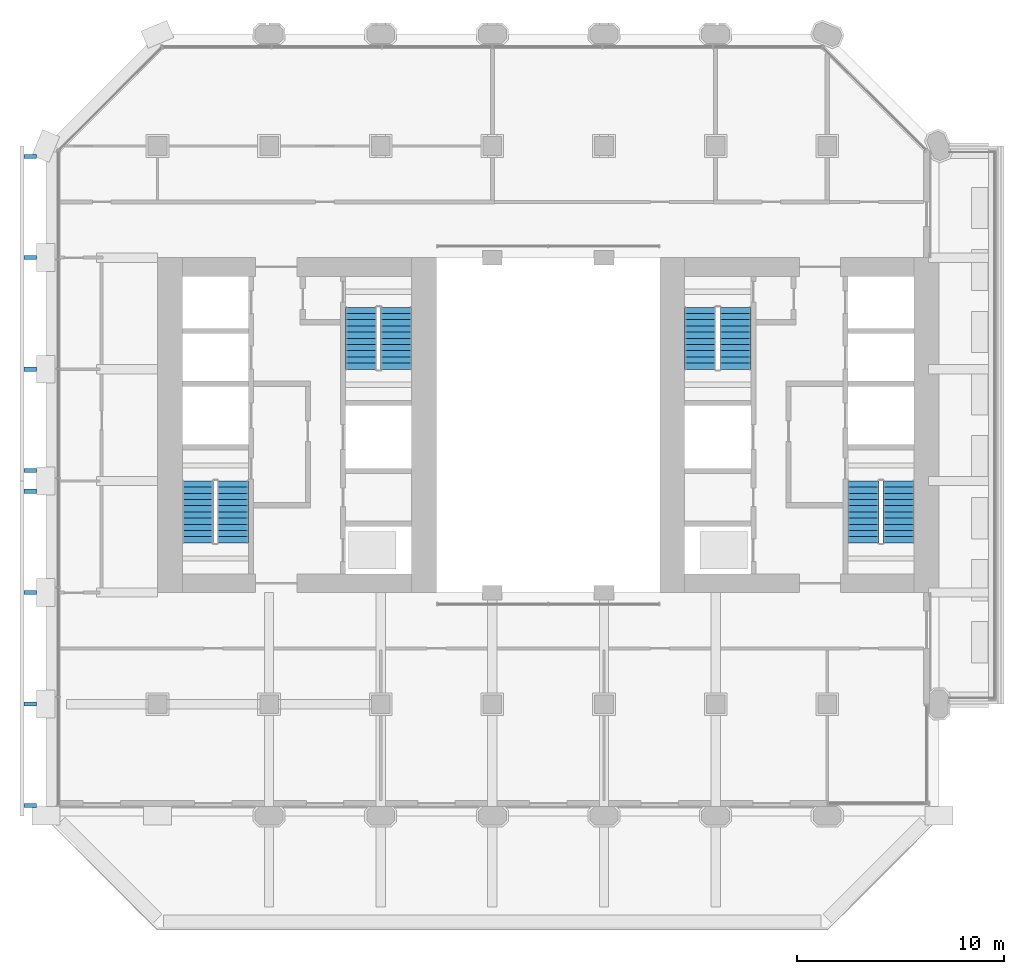
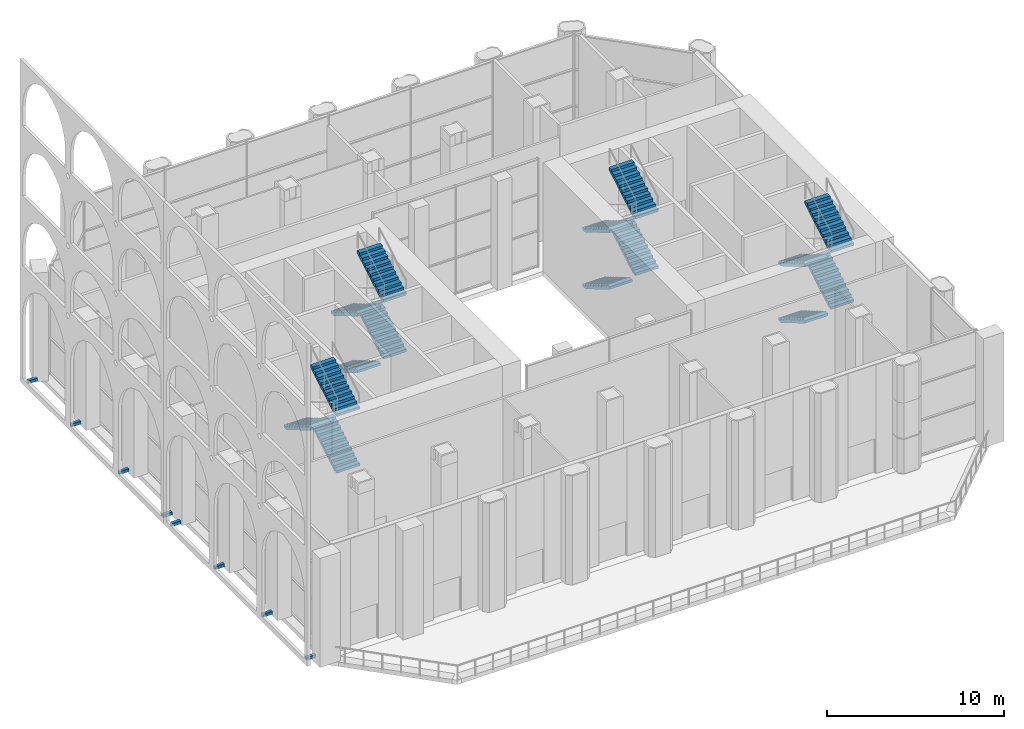
# One storey, part 12 of 20: 15 stair flights, 8 discrete accessories, 4 elements without a shape of their own.
"""IFC4 building model written with IfcOpenShell, lengths in metres."""

from ifc_helpers import new_model, si_unit, direction, frame, origin, origin_2d, place, context, subcontext, project, spatial, polyline, rectangle, outline, extrude, material, type_object, element, aggregate, save


model = new_model("IFC4")

# Units and contexts
model_context = context("Model", 3, precision=1e-05, world=origin(), true_north=direction((0.0, 1.0)))
body_context = subcontext(model_context, "Body", "Model", "MODEL_VIEW")
ifc_project = project(units=[si_unit("LENGTHUNIT", "METRE"), si_unit("AREAUNIT", "SQUARE_METRE"), si_unit("VOLUMEUNIT", "CUBIC_METRE"), si_unit("PLANEANGLEUNIT", "RADIAN"), si_unit("MASSUNIT", "GRAM", prefix="KILO")], contexts=[model_context])

# Site, building, storey
site_placement = place(None, origin())
site = spatial("IfcSite", under=ifc_project, at=site_placement, CompositionType="ELEMENT")
building_placement = place(site_placement, origin())
building = spatial("IfcBuilding", under=site, at=building_placement, Name="Tabaq Tower and Sports Hall", CompositionType="ELEMENT")
storey_placement = place(building_placement, frame((0.0, 0.0, 130.60009765625)))
storey = spatial("IfcBuildingStorey", under=building, at=storey_placement, Name="L31", CompositionType="ELEMENT", Elevation=130.60009765625)

# Stair, stair flights
ifc_material_1 = material(Name="Concrete C40/50", Category="concrete")
stair_type = type_object("IfcStairType", Name="Exit stair", PredefinedType="HALF_TURN_STAIR", material=ifc_material_1)
stair_1_placement = place(storey_placement, origin())
stair_1 = element("IfcStair", 1, at=stair_1_placement, inside=storey, type_object=stair_type, Name="L31 Exit stair ST1", PredefinedType="HALF_TURN_STAIR")
ifc_material_2 = material(Name="Concrete C40/50", Category="concrete")
stair_flight_type = type_object("IfcStairFlightType", Name="Exit stair flight", PredefinedType="STRAIGHT", material=ifc_material_2)
stair_flight_1_placement = place(storey_placement, frame((9.050048828125, 18.60009765625, 1.949951171875), z_axis=(0.0, 0.0, 1.0), x_axis=(0.0, 1.0, 0.0)))
stair_flight_1 = element("IfcStairFlight", 2, at=stair_flight_1_placement, type_object=stair_flight_type, Name="ST1 flight 2", NumberOfRisers=11, NumberOfTreads=10, PredefinedType="STRAIGHT", RiserHeight=0.177272727, TreadLength=0.3, context=body_context, shape_type="SweptSolid", body=[
    extrude(outline(polyline([(0.0, 0.0), (0.0, 0.17724609375), (0.300048828125, 0.17724609375), (0.300048828125, 0.3544921875), (0.60009765625, 0.3544921875), (0.60009765625, 0.53173828125), (0.89990234375, 0.53173828125), (0.89990234375, 0.708984375), (1.199951171875, 0.708984375), (1.199951171875, 0.886474609375), (1.5, 0.886474609375), (1.5, 1.063720703125), (1.800048828125, 1.063720703125), (1.800048828125, 1.240966796875), (2.10009765625, 1.240966796875), (2.10009765625, 1.418212890625), (2.39990234375, 1.418212890625), (2.39990234375, 1.595458984375), (2.699951171875, 1.595458984375), (2.699951171875, 1.772705078125), (3.0, 1.772705078125), (3.0, 1.949951171875), (3.0, 1.5986328125), (0.294677734375, 0.0), (0.0, 0.0)])), frame((0.0, 0.75, 0.0), z_axis=(0.0, -1.0, 0.0), x_axis=(1.0, 0.0, 0.0)), (0.0, 0.0, 1.0), 1.5),
])
stair_flight_2_placement = place(storey_placement, frame((7.35009765625, 21.60009765625, 3.89990234375), z_axis=(0.0, 0.0, 1.0), x_axis=(0.0, -1.0, 0.0)))
stair_flight_2 = element("IfcStairFlight", 3, at=stair_flight_2_placement, type_object=stair_flight_type, Name="ST1 flight 3", NumberOfRisers=11, NumberOfTreads=10, PredefinedType="STRAIGHT", RiserHeight=0.177272727, TreadLength=0.3, context=body_context, shape_type="SweptSolid", body=[
    extrude(outline(polyline([(0.0, 0.0), (0.0, 0.17724609375), (0.300048828125, 0.17724609375), (0.300048828125, 0.3544921875), (0.60009765625, 0.3544921875), (0.60009765625, 0.53173828125), (0.89990234375, 0.53173828125), (0.89990234375, 0.708984375), (1.199951171875, 0.708984375), (1.199951171875, 0.886474609375), (1.5, 0.886474609375), (1.5, 1.063720703125), (1.800048828125, 1.063720703125), (1.800048828125, 1.240966796875), (2.10009765625, 1.240966796875), (2.10009765625, 1.418212890625), (2.39990234375, 1.418212890625), (2.39990234375, 1.595458984375), (2.699951171875, 1.595458984375), (2.699951171875, 1.772705078125), (3.0, 1.772705078125), (3.0, 1.949951171875), (3.0, 1.5986328125), (0.294677734375, 0.0), (0.0, 0.0)])), frame((0.0, 0.75, 0.0), z_axis=(0.0, -1.0, 0.0), x_axis=(1.0, 0.0, 0.0)), (0.0, 0.0, 1.0), 1.5),
])
stair_flight_3_placement = place(storey_placement, frame((9.050048828125, 18.60009765625, 5.849853515625), z_axis=(0.0, 0.0, 1.0), x_axis=(0.0, 1.0, 0.0)))
stair_flight_3 = element("IfcStairFlight", 4, at=stair_flight_3_placement, type_object=stair_flight_type, Name="ST1 flight 4", NumberOfRisers=11, NumberOfTreads=10, PredefinedType="STRAIGHT", RiserHeight=0.177272727, TreadLength=0.3, context=body_context, shape_type="SweptSolid", body=[
    extrude(outline(polyline([(0.0, 0.0), (0.0, 0.17724609375), (0.300048828125, 0.17724609375), (0.300048828125, 0.3544921875), (0.60009765625, 0.3544921875), (0.60009765625, 0.53173828125), (0.89990234375, 0.53173828125), (0.89990234375, 0.708984375), (1.199951171875, 0.708984375), (1.199951171875, 0.886474609375), (1.5, 0.886474609375), (1.5, 1.063720703125), (1.800048828125, 1.063720703125), (1.800048828125, 1.240966796875), (2.10009765625, 1.240966796875), (2.10009765625, 1.418212890625), (2.39990234375, 1.418212890625), (2.39990234375, 1.595458984375), (2.699951171875, 1.595458984375), (2.699951171875, 1.772705078125), (3.0, 1.772705078125), (3.0, 1.949951171875), (3.0, 1.5986328125), (0.294677734375, 0.0), (0.0, 0.0)])), frame((0.0, 0.75, 0.0), z_axis=(0.0, -1.0, 0.0), x_axis=(1.0, 0.0, 0.0)), (0.0, 0.0, 1.0), 1.5),
])
aggregate(stair_1, [stair_flight_1, stair_flight_2, stair_flight_3])

stair_2_placement = place(storey_placement, origin())
stair_2 = element("IfcStair", 5, at=stair_2_placement, inside=storey, type_object=stair_type, Name="L31 Exit stair ST2", PredefinedType="HALF_TURN_STAIR")
stair_flight_4_placement = place(storey_placement, frame((15.25, 30.0, 0.0), z_axis=(0.0, 0.0, 1.0), x_axis=(0.0, -1.0, 0.0)))
stair_flight_4 = element("IfcStairFlight", 6, at=stair_flight_4_placement, type_object=stair_flight_type, Name="ST2 flight 1", NumberOfRisers=11, NumberOfTreads=10, PredefinedType="STRAIGHT", RiserHeight=0.177272727, TreadLength=0.3, context=body_context, shape_type="SweptSolid", body=[
    extrude(outline(polyline([(0.0, 0.0), (0.0, 0.17724609375), (0.300048828125, 0.17724609375), (0.300048828125, 0.3544921875), (0.60009765625, 0.3544921875), (0.60009765625, 0.53173828125), (0.89990234375, 0.53173828125), (0.89990234375, 0.708984375), (1.199951171875, 0.708984375), (1.199951171875, 0.886474609375), (1.5, 0.886474609375), (1.5, 1.063720703125), (1.800048828125, 1.063720703125), (1.800048828125, 1.240966796875), (2.10009765625, 1.240966796875), (2.10009765625, 1.418212890625), (2.39990234375, 1.418212890625), (2.39990234375, 1.595458984375), (2.699951171875, 1.595458984375), (2.699951171875, 1.772705078125), (3.0, 1.772705078125), (3.0, 1.949951171875), (3.0, 1.5986328125), (0.294677734375, 0.0), (0.0, 0.0)])), frame((0.0, 0.75, 0.0), z_axis=(0.0, -1.0, 0.0), x_axis=(1.0, 0.0, 0.0)), (0.0, 0.0, 1.0), 1.5),
])
stair_flight_5_placement = place(storey_placement, frame((16.949951171875, 27.0, 1.949951171875), z_axis=(0.0, 0.0, 1.0), x_axis=(0.0, 1.0, 0.0)))
stair_flight_5 = element("IfcStairFlight", 7, at=stair_flight_5_placement, type_object=stair_flight_type, Name="ST2 flight 2", NumberOfRisers=11, NumberOfTreads=10, PredefinedType="STRAIGHT", RiserHeight=0.177272727, TreadLength=0.3, context=body_context, shape_type="SweptSolid", body=[
    extrude(outline(polyline([(0.0, 0.0), (0.0, 0.17724609375), (0.300048828125, 0.17724609375), (0.300048828125, 0.3544921875), (0.60009765625, 0.3544921875), (0.60009765625, 0.53173828125), (0.89990234375, 0.53173828125), (0.89990234375, 0.708984375), (1.199951171875, 0.708984375), (1.199951171875, 0.886474609375), (1.5, 0.886474609375), (1.5, 1.063720703125), (1.800048828125, 1.063720703125), (1.800048828125, 1.240966796875), (2.10009765625, 1.240966796875), (2.10009765625, 1.418212890625), (2.39990234375, 1.418212890625), (2.39990234375, 1.595458984375), (2.699951171875, 1.595458984375), (2.699951171875, 1.772705078125), (3.0, 1.772705078125), (3.0, 1.949951171875), (3.0, 1.5986328125), (0.294677734375, 0.0), (0.0, 0.0)])), frame((0.0, 0.75, 0.0), z_axis=(0.0, -1.0, 0.0), x_axis=(1.0, 0.0, 0.0)), (0.0, 0.0, 1.0), 1.5),
])
stair_flight_6_placement = place(storey_placement, frame((15.25, 30.0, 3.89990234375), z_axis=(0.0, 0.0, 1.0), x_axis=(0.0, -1.0, 0.0)))
stair_flight_6 = element("IfcStairFlight", 8, at=stair_flight_6_placement, type_object=stair_flight_type, Name="ST2 flight 3", NumberOfRisers=11, NumberOfTreads=10, PredefinedType="STRAIGHT", RiserHeight=0.177272727, TreadLength=0.3, context=body_context, shape_type="SweptSolid", body=[
    extrude(outline(polyline([(0.0, 0.0), (0.0, 0.17724609375), (0.300048828125, 0.17724609375), (0.300048828125, 0.3544921875), (0.60009765625, 0.3544921875), (0.60009765625, 0.53173828125), (0.89990234375, 0.53173828125), (0.89990234375, 0.708984375), (1.199951171875, 0.708984375), (1.199951171875, 0.886474609375), (1.5, 0.886474609375), (1.5, 1.063720703125), (1.800048828125, 1.063720703125), (1.800048828125, 1.240966796875), (2.10009765625, 1.240966796875), (2.10009765625, 1.418212890625), (2.39990234375, 1.418212890625), (2.39990234375, 1.595458984375), (2.699951171875, 1.595458984375), (2.699951171875, 1.772705078125), (3.0, 1.772705078125), (3.0, 1.949951171875), (3.0, 1.5986328125), (0.294677734375, 0.0), (0.0, 0.0)])), frame((0.0, 0.75, 0.0), z_axis=(0.0, -1.0, 0.0), x_axis=(1.0, 0.0, 0.0)), (0.0, 0.0, 1.0), 1.5),
])
stair_flight_7_placement = place(storey_placement, frame((16.949951171875, 27.0, 5.849853515625), z_axis=(0.0, 0.0, 1.0), x_axis=(0.0, 1.0, 0.0)))
stair_flight_7 = element("IfcStairFlight", 9, at=stair_flight_7_placement, type_object=stair_flight_type, Name="ST2 flight 4", NumberOfRisers=11, NumberOfTreads=10, PredefinedType="STRAIGHT", RiserHeight=0.177272727, TreadLength=0.3, context=body_context, shape_type="SweptSolid", body=[
    extrude(outline(polyline([(0.0, 0.0), (0.0, 0.17724609375), (0.300048828125, 0.17724609375), (0.300048828125, 0.3544921875), (0.60009765625, 0.3544921875), (0.60009765625, 0.53173828125), (0.89990234375, 0.53173828125), (0.89990234375, 0.708984375), (1.199951171875, 0.708984375), (1.199951171875, 0.886474609375), (1.5, 0.886474609375), (1.5, 1.063720703125), (1.800048828125, 1.063720703125), (1.800048828125, 1.240966796875), (2.10009765625, 1.240966796875), (2.10009765625, 1.418212890625), (2.39990234375, 1.418212890625), (2.39990234375, 1.595458984375), (2.699951171875, 1.595458984375), (2.699951171875, 1.772705078125), (3.0, 1.772705078125), (3.0, 1.949951171875), (3.0, 1.5986328125), (0.294677734375, 0.0), (0.0, 0.0)])), frame((0.0, 0.75, 0.0), z_axis=(0.0, -1.0, 0.0), x_axis=(1.0, 0.0, 0.0)), (0.0, 0.0, 1.0), 1.5),
])
aggregate(stair_2, [stair_flight_4, stair_flight_5, stair_flight_6, stair_flight_7])

stair_3_placement = place(storey_placement, origin())
stair_3 = element("IfcStair", 10, at=stair_3_placement, inside=storey, type_object=stair_type, Name="L31 Exit stair ST3", PredefinedType="HALF_TURN_STAIR")
stair_flight_8_placement = place(storey_placement, frame((39.550048828125, 21.60009765625, 0.0), z_axis=(0.0, 0.0, 1.0), x_axis=(0.0, -1.0, 0.0)))
stair_flight_8 = element("IfcStairFlight", 11, at=stair_flight_8_placement, type_object=stair_flight_type, Name="ST3 flight 1", NumberOfRisers=11, NumberOfTreads=10, PredefinedType="STRAIGHT", RiserHeight=0.177272727, TreadLength=0.3, context=body_context, shape_type="SweptSolid", body=[
    extrude(outline(polyline([(0.0, 0.0), (0.0, 0.17724609375), (0.300048828125, 0.17724609375), (0.300048828125, 0.3544921875), (0.60009765625, 0.3544921875), (0.60009765625, 0.53173828125), (0.89990234375, 0.53173828125), (0.89990234375, 0.708984375), (1.199951171875, 0.708984375), (1.199951171875, 0.886474609375), (1.5, 0.886474609375), (1.5, 1.063720703125), (1.800048828125, 1.063720703125), (1.800048828125, 1.240966796875), (2.10009765625, 1.240966796875), (2.10009765625, 1.418212890625), (2.39990234375, 1.418212890625), (2.39990234375, 1.595458984375), (2.699951171875, 1.595458984375), (2.699951171875, 1.772705078125), (3.0, 1.772705078125), (3.0, 1.949951171875), (3.0, 1.5986328125), (0.294677734375, 0.0), (0.0, 0.0)])), frame((0.0, 0.75, 0.0), z_axis=(0.0, -1.0, 0.0), x_axis=(1.0, 0.0, 0.0)), (0.0, 0.0, 1.0), 1.5),
])
stair_flight_9_placement = place(storey_placement, frame((41.25, 18.60009765625, 1.949951171875), z_axis=(0.0, 0.0, 1.0), x_axis=(0.0, 1.0, 0.0)))
stair_flight_9 = element("IfcStairFlight", 12, at=stair_flight_9_placement, type_object=stair_flight_type, Name="ST3 flight 2", NumberOfRisers=11, NumberOfTreads=10, PredefinedType="STRAIGHT", RiserHeight=0.177272727, TreadLength=0.3, context=body_context, shape_type="SweptSolid", body=[
    extrude(outline(polyline([(0.0, 0.0), (0.0, 0.17724609375), (0.300048828125, 0.17724609375), (0.300048828125, 0.3544921875), (0.60009765625, 0.3544921875), (0.60009765625, 0.53173828125), (0.89990234375, 0.53173828125), (0.89990234375, 0.708984375), (1.199951171875, 0.708984375), (1.199951171875, 0.886474609375), (1.5, 0.886474609375), (1.5, 1.063720703125), (1.800048828125, 1.063720703125), (1.800048828125, 1.240966796875), (2.10009765625, 1.240966796875), (2.10009765625, 1.418212890625), (2.39990234375, 1.418212890625), (2.39990234375, 1.595458984375), (2.699951171875, 1.595458984375), (2.699951171875, 1.772705078125), (3.0, 1.772705078125), (3.0, 1.949951171875), (3.0, 1.5986328125), (0.294677734375, 0.0), (0.0, 0.0)])), frame((0.0, 0.75, 0.0), z_axis=(0.0, -1.0, 0.0), x_axis=(1.0, 0.0, 0.0)), (0.0, 0.0, 1.0), 1.5),
])
stair_flight_10_placement = place(storey_placement, frame((39.550048828125, 21.60009765625, 3.89990234375), z_axis=(0.0, 0.0, 1.0), x_axis=(0.0, -1.0, 0.0)))
stair_flight_10 = element("IfcStairFlight", 13, at=stair_flight_10_placement, type_object=stair_flight_type, Name="ST3 flight 3", NumberOfRisers=11, NumberOfTreads=10, PredefinedType="STRAIGHT", RiserHeight=0.177272727, TreadLength=0.3, context=body_context, shape_type="SweptSolid", body=[
    extrude(outline(polyline([(0.0, 0.0), (0.0, 0.17724609375), (0.300048828125, 0.17724609375), (0.300048828125, 0.3544921875), (0.60009765625, 0.3544921875), (0.60009765625, 0.53173828125), (0.89990234375, 0.53173828125), (0.89990234375, 0.708984375), (1.199951171875, 0.708984375), (1.199951171875, 0.886474609375), (1.5, 0.886474609375), (1.5, 1.063720703125), (1.800048828125, 1.063720703125), (1.800048828125, 1.240966796875), (2.10009765625, 1.240966796875), (2.10009765625, 1.418212890625), (2.39990234375, 1.418212890625), (2.39990234375, 1.595458984375), (2.699951171875, 1.595458984375), (2.699951171875, 1.772705078125), (3.0, 1.772705078125), (3.0, 1.949951171875), (3.0, 1.5986328125), (0.294677734375, 0.0), (0.0, 0.0)])), frame((0.0, 0.75, 0.0), z_axis=(0.0, -1.0, 0.0), x_axis=(1.0, 0.0, 0.0)), (0.0, 0.0, 1.0), 1.5),
])
stair_flight_11_placement = place(storey_placement, frame((41.25, 18.60009765625, 5.849853515625), z_axis=(0.0, 0.0, 1.0), x_axis=(0.0, 1.0, 0.0)))
stair_flight_11 = element("IfcStairFlight", 14, at=stair_flight_11_placement, type_object=stair_flight_type, Name="ST3 flight 4", NumberOfRisers=11, NumberOfTreads=10, PredefinedType="STRAIGHT", RiserHeight=0.177272727, TreadLength=0.3, context=body_context, shape_type="SweptSolid", body=[
    extrude(outline(polyline([(0.0, 0.0), (0.0, 0.17724609375), (0.300048828125, 0.17724609375), (0.300048828125, 0.3544921875), (0.60009765625, 0.3544921875), (0.60009765625, 0.53173828125), (0.89990234375, 0.53173828125), (0.89990234375, 0.708984375), (1.199951171875, 0.708984375), (1.199951171875, 0.886474609375), (1.5, 0.886474609375), (1.5, 1.063720703125), (1.800048828125, 1.063720703125), (1.800048828125, 1.240966796875), (2.10009765625, 1.240966796875), (2.10009765625, 1.418212890625), (2.39990234375, 1.418212890625), (2.39990234375, 1.595458984375), (2.699951171875, 1.595458984375), (2.699951171875, 1.772705078125), (3.0, 1.772705078125), (3.0, 1.949951171875), (3.0, 1.5986328125), (0.294677734375, 0.0), (0.0, 0.0)])), frame((0.0, 0.75, 0.0), z_axis=(0.0, -1.0, 0.0), x_axis=(1.0, 0.0, 0.0)), (0.0, 0.0, 1.0), 1.5),
])
aggregate(stair_3, [stair_flight_8, stair_flight_9, stair_flight_10, stair_flight_11])

stair_4_placement = place(storey_placement, origin())
stair_4 = element("IfcStair", 15, at=stair_4_placement, inside=storey, type_object=stair_type, Name="L31 Exit stair ST4", PredefinedType="HALF_TURN_STAIR")
stair_flight_12_placement = place(storey_placement, frame((31.64990234375, 30.0, 0.0), z_axis=(0.0, 0.0, 1.0), x_axis=(0.0, -1.0, 0.0)))
stair_flight_12 = element("IfcStairFlight", 16, at=stair_flight_12_placement, type_object=stair_flight_type, Name="ST4 flight 1", NumberOfRisers=11, NumberOfTreads=10, PredefinedType="STRAIGHT", RiserHeight=0.177272727, TreadLength=0.3, context=body_context, shape_type="SweptSolid", body=[
    extrude(outline(polyline([(0.0, 0.0), (0.0, 0.17724609375), (0.300048828125, 0.17724609375), (0.300048828125, 0.3544921875), (0.60009765625, 0.3544921875), (0.60009765625, 0.53173828125), (0.89990234375, 0.53173828125), (0.89990234375, 0.708984375), (1.199951171875, 0.708984375), (1.199951171875, 0.886474609375), (1.5, 0.886474609375), (1.5, 1.063720703125), (1.800048828125, 1.063720703125), (1.800048828125, 1.240966796875), (2.10009765625, 1.240966796875), (2.10009765625, 1.418212890625), (2.39990234375, 1.418212890625), (2.39990234375, 1.595458984375), (2.699951171875, 1.595458984375), (2.699951171875, 1.772705078125), (3.0, 1.772705078125), (3.0, 1.949951171875), (3.0, 1.5986328125), (0.294677734375, 0.0), (0.0, 0.0)])), frame((0.0, 0.75, 0.0), z_axis=(0.0, -1.0, 0.0), x_axis=(1.0, 0.0, 0.0)), (0.0, 0.0, 1.0), 1.5),
])
stair_flight_13_placement = place(storey_placement, frame((33.35009765625, 27.0, 1.949951171875), z_axis=(0.0, 0.0, 1.0), x_axis=(0.0, 1.0, 0.0)))
stair_flight_13 = element("IfcStairFlight", 17, at=stair_flight_13_placement, type_object=stair_flight_type, Name="ST4 flight 2", NumberOfRisers=11, NumberOfTreads=10, PredefinedType="STRAIGHT", RiserHeight=0.177272727, TreadLength=0.3, context=body_context, shape_type="SweptSolid", body=[
    extrude(outline(polyline([(0.0, 0.0), (0.0, 0.17724609375), (0.300048828125, 0.17724609375), (0.300048828125, 0.3544921875), (0.60009765625, 0.3544921875), (0.60009765625, 0.53173828125), (0.89990234375, 0.53173828125), (0.89990234375, 0.708984375), (1.199951171875, 0.708984375), (1.199951171875, 0.886474609375), (1.5, 0.886474609375), (1.5, 1.063720703125), (1.800048828125, 1.063720703125), (1.800048828125, 1.240966796875), (2.10009765625, 1.240966796875), (2.10009765625, 1.418212890625), (2.39990234375, 1.418212890625), (2.39990234375, 1.595458984375), (2.699951171875, 1.595458984375), (2.699951171875, 1.772705078125), (3.0, 1.772705078125), (3.0, 1.949951171875), (3.0, 1.5986328125), (0.294677734375, 0.0), (0.0, 0.0)])), frame((0.0, 0.75, 0.0), z_axis=(0.0, -1.0, 0.0), x_axis=(1.0, 0.0, 0.0)), (0.0, 0.0, 1.0), 1.5),
])
stair_flight_14_placement = place(storey_placement, frame((31.64990234375, 30.0, 3.89990234375), z_axis=(0.0, 0.0, 1.0), x_axis=(0.0, -1.0, 0.0)))
stair_flight_14 = element("IfcStairFlight", 18, at=stair_flight_14_placement, type_object=stair_flight_type, Name="ST4 flight 3", NumberOfRisers=11, NumberOfTreads=10, PredefinedType="STRAIGHT", RiserHeight=0.177272727, TreadLength=0.3, context=body_context, shape_type="SweptSolid", body=[
    extrude(outline(polyline([(0.0, 0.0), (0.0, 0.17724609375), (0.300048828125, 0.17724609375), (0.300048828125, 0.3544921875), (0.60009765625, 0.3544921875), (0.60009765625, 0.53173828125), (0.89990234375, 0.53173828125), (0.89990234375, 0.708984375), (1.199951171875, 0.708984375), (1.199951171875, 0.886474609375), (1.5, 0.886474609375), (1.5, 1.063720703125), (1.800048828125, 1.063720703125), (1.800048828125, 1.240966796875), (2.10009765625, 1.240966796875), (2.10009765625, 1.418212890625), (2.39990234375, 1.418212890625), (2.39990234375, 1.595458984375), (2.699951171875, 1.595458984375), (2.699951171875, 1.772705078125), (3.0, 1.772705078125), (3.0, 1.949951171875), (3.0, 1.5986328125), (0.294677734375, 0.0), (0.0, 0.0)])), frame((0.0, 0.75, 0.0), z_axis=(0.0, -1.0, 0.0), x_axis=(1.0, 0.0, 0.0)), (0.0, 0.0, 1.0), 1.5),
])
stair_flight_15_placement = place(storey_placement, frame((33.35009765625, 27.0, 5.849853515625), z_axis=(0.0, 0.0, 1.0), x_axis=(0.0, 1.0, 0.0)))
stair_flight_15 = element("IfcStairFlight", 19, at=stair_flight_15_placement, type_object=stair_flight_type, Name="ST4 flight 4", NumberOfRisers=11, NumberOfTreads=10, PredefinedType="STRAIGHT", RiserHeight=0.177272727, TreadLength=0.3, context=body_context, shape_type="SweptSolid", body=[
    extrude(outline(polyline([(0.0, 0.0), (0.0, 0.17724609375), (0.300048828125, 0.17724609375), (0.300048828125, 0.3544921875), (0.60009765625, 0.3544921875), (0.60009765625, 0.53173828125), (0.89990234375, 0.53173828125), (0.89990234375, 0.708984375), (1.199951171875, 0.708984375), (1.199951171875, 0.886474609375), (1.5, 0.886474609375), (1.5, 1.063720703125), (1.800048828125, 1.063720703125), (1.800048828125, 1.240966796875), (2.10009765625, 1.240966796875), (2.10009765625, 1.418212890625), (2.39990234375, 1.418212890625), (2.39990234375, 1.595458984375), (2.699951171875, 1.595458984375), (2.699951171875, 1.772705078125), (3.0, 1.772705078125), (3.0, 1.949951171875), (3.0, 1.5986328125), (0.294677734375, 0.0), (0.0, 0.0)])), frame((0.0, 0.75, 0.0), z_axis=(0.0, -1.0, 0.0), x_axis=(1.0, 0.0, 0.0)), (0.0, 0.0, 1.0), 1.5),
])
aggregate(stair_4, [stair_flight_12, stair_flight_13, stair_flight_14, stair_flight_15])

# Discrete accessories
for number, where, z_axis, x_axis, name in (
    (20, (-0.75, 37.300048828125, 0.10009765625), (0.0, 0.0, 1.0), (-1.0, 0.0, 0.0), "Stainless steel bracket"),
    (21, (-0.75, 32.39990234375, 0.10009765625), (0.0, 0.0, 1.0), (-1.0, 0.0, 0.0), "Stainless steel bracket"),
    (22, (-0.75, 27.0, 0.10009765625), (0.0, 0.0, 1.0), (-1.0, 0.0, 0.0), "Stainless steel bracket"),
    (23, (-0.75, 22.10009765625, 0.10009765625), (0.0, 0.0, 1.0), (-1.0, 0.0, 0.0), "Stainless steel bracket"),
    (24, (-0.75, 21.10009765625, 0.10009765625), (0.0, 0.0, 1.0), (-1.0, 0.0, 0.0), "Stainless steel bracket"),
    (25, (-0.75, 16.199951171875, 0.10009765625), (0.0, 0.0, 1.0), (-1.0, 0.0, 0.0), "Stainless steel bracket"),
    (26, (-0.75, 10.800048828125, 0.10009765625), (0.0, 0.0, 1.0), (-1.0, 0.0, 0.0), "Stainless steel bracket"),
    (27, (-0.75, 5.89990234375, 0.10009765625), (0.0, 0.0, 1.0), (-1.0, 0.0, 0.0), "Stainless steel bracket"),
):
    element("IfcDiscreteAccessory", number, at=place(storey_placement, frame(where, z_axis=z_axis, x_axis=x_axis)), inside=storey, Name=name, PredefinedType="BRACKET", context=body_context, shape_type="SweptSolid", body=[
        extrude(rectangle(XDim=0.60009765625, YDim=0.199951171875, at=origin_2d()), origin(), (0.0, 0.0, 1.0), 0.199951171875),
    ])

save(model, "model.ifc")
